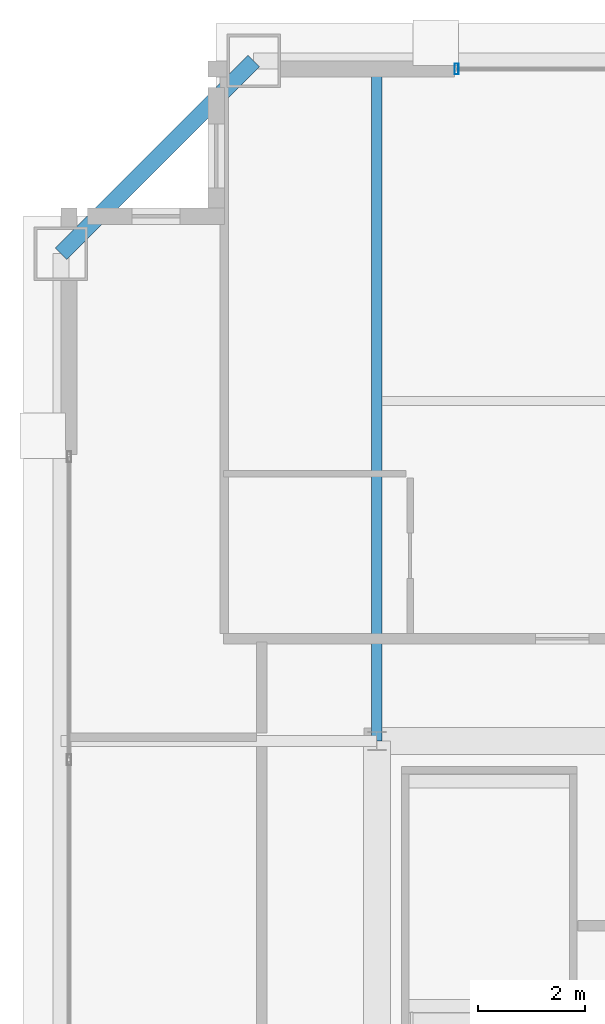
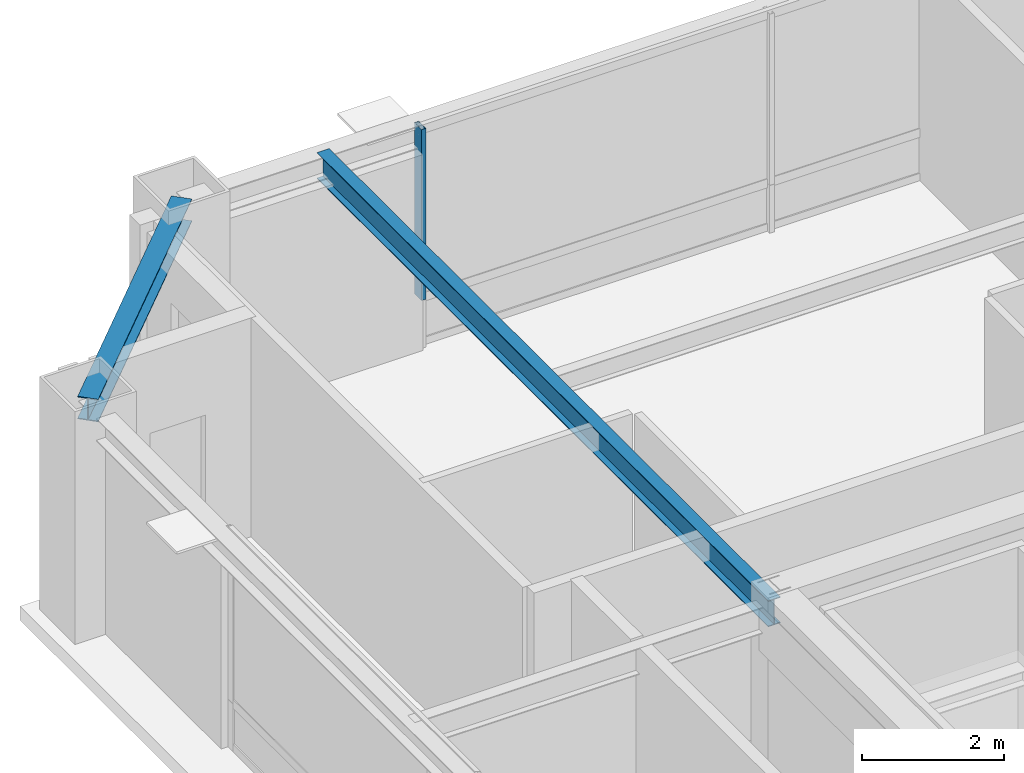
# One storey, part 16 of 34: 2 beams, 1 member, 1 element without a shape of its own.
"""IFC4 building model written with IfcOpenShell, lengths in metres."""

from ifc_helpers import new_model, si_unit, direction, frame, origin, origin_2d, place, context, subcontext, project, spatial, hollow_rectangle, i_section, extrude, source, transform, mapped, material, layer, layer_set, material_profile, profile_set, type_object, element, aggregate, save


model = new_model("IFC4")

# Units and contexts
model_context = context("Model", 3, precision=1e-05, world=origin(), true_north=direction((0.0, 1.0)))
body_context = subcontext(model_context, "Body", "Model", "MODEL_VIEW")
ifc_project = project(units=[si_unit("LENGTHUNIT", "METRE"), si_unit("AREAUNIT", "SQUARE_METRE"), si_unit("VOLUMEUNIT", "CUBIC_METRE"), si_unit("PLANEANGLEUNIT", "RADIAN"), si_unit("MASSUNIT", "GRAM", prefix="KILO"), si_unit("THERMODYNAMICTEMPERATUREUNIT", "KELVIN"), si_unit("POWERUNIT", "WATT")], contexts=[model_context])

# Site, building, storey
site_placement = place(None, origin())
site = spatial("IfcSite", under=ifc_project, at=site_placement, CompositionType="ELEMENT")
building_placement = place(site_placement, origin())
building = spatial("IfcBuilding", under=site, at=building_placement, Name="Yuzanri Waterfront Tower", CompositionType="ELEMENT")
storey_placement = place(building_placement, frame((0.0, 0.0, 339.199951171875)))
storey = spatial("IfcBuildingStorey", under=building, at=storey_placement, Name="L91", CompositionType="ELEMENT", Elevation=339.199951171875)

# Beams
ifc_material_1 = material(Name="Steel Q355B", Category="steel")
ifc_material_profile_1 = material_profile(ifc_material_1, i_section(OverallWidth=0.300048828125, OverallDepth=0.389892578125, WebThickness=0.010009765625, FlangeThickness=0.01611328125, at=origin_2d()), Name="HM 390x300x10x16")
ifc_profile_set_1 = profile_set([ifc_material_profile_1], Name="Steel Q355B")
beam_type_1 = type_object("IfcBeamType", Name="Perimeter Spandrel Q355B HM 390x300", PredefinedType="SPANDREL", material=ifc_profile_set_1)
shared_shape_1 = source(origin(), body_context, "Body", "SweptSolid", [
    extrude(i_section(OverallWidth=0.300048828125, OverallDepth=0.389892578125, WebThickness=0.010009765625, FlangeThickness=0.01611328125, at=origin_2d()), origin(), (0.0, 0.0, 1.0), 5.091064453125),
])
beam_1_placement = place(storey_placement, frame((21.5, 44.89990234375, 3.56494140625), z_axis=(-0.707130757816, -0.707082803744, 0.0), x_axis=(0.707082803744, -0.707130757816, 0.0)))
element("IfcBeam", 1, at=beam_1_placement, inside=storey, type_object=beam_type_1, Name="L91 Perimeter Spandrel N1-W3", PredefinedType="SPANDREL", context=body_context, shape_type="MappedRepresentation", body=[
    mapped(shared_shape_1, transform((0.0, 0.0, 0.0), scale=1.0)),
])
ifc_material_2 = material(Name="Steel Q355B", Category="steel")
ifc_material_profile_2 = material_profile(ifc_material_2, i_section(OverallWidth=0.199951171875, OverallDepth=0.449951171875, WebThickness=0.009033203125, FlangeThickness=0.013916015625, at=origin_2d()), Name="HN 450x200x9x14")
ifc_profile_set_2 = profile_set([ifc_material_profile_2], Name="Steel Q355B")
beam_type_2 = type_object("IfcBeamType", Name="Secondary Floor Beam Q355B HN 450x200", PredefinedType="BEAM", material=ifc_profile_set_2)
shared_shape_2 = source(origin(), body_context, "Body", "SweptSolid", [
    extrude(i_section(OverallWidth=0.199951171875, OverallDepth=0.449951171875, WebThickness=0.009033203125, FlangeThickness=0.013916015625, at=origin_2d()), origin(), (0.0, 0.0, 1.0), 12.699951171875),
])
beam_2_placement = place(storey_placement, frame((23.800048828125, 32.199951171875, 3.53515625), z_axis=(0.0, 1.0, 0.0), x_axis=(-1.0, 0.0, 0.0)))
element("IfcBeam", 2, at=beam_2_placement, inside=storey, type_object=beam_type_2, Name="L91 North-West Core Line Beam", PredefinedType="BEAM", context=body_context, shape_type="MappedRepresentation", body=[
    mapped(shared_shape_2, transform((0.0, 0.0, 0.0), scale=1.0)),
])

# Curtain wall, member
ifc_material_3 = material(Name="Anodized Architectural Bronze", Category="metal")
ifc_layer = layer(ifc_material_3, 0.159912109375)
ifc_layer_set = layer_set([ifc_layer], Name="Anodized Architectural Bronze")
curtain_wall_type = type_object("IfcCurtainWallType", Name="Anodized Bronze High-Rise Penthouse High-Wind Unitized Curtain Wall 6900", PredefinedType="NOTDEFINED", material=ifc_layer_set)
curtain_wall_placement = place(storey_placement, origin())
curtain_wall = element("IfcCurtainWall", 3, at=curtain_wall_placement, inside=storey, type_object=curtain_wall_type, Name="L91 Curtain Wall CW-L91-NL", PredefinedType="NOTDEFINED")
ifc_material_4 = material(Name="Anodized Architectural Bronze", Category="metal")
ifc_material_profile_3 = material_profile(ifc_material_4, hollow_rectangle(XDim=0.074951171875, YDim=0.199951171875, WallThickness=0.00390625, at=origin_2d()), Name="CWM 75x200")
ifc_profile_set_3 = profile_set([ifc_material_profile_3], Name="Anodized Architectural Bronze")
member_type = type_object("IfcMemberType", Name="Anodized Bronze Primary Curtain-Wall Mullion 75x200", PredefinedType="MULLION", material=ifc_profile_set_3)
shared_shape_3 = source(origin(), body_context, "Body", "SweptSolid", [
    extrude(hollow_rectangle(XDim=0.074951171875, YDim=0.199951171875, WallThickness=0.00390625, at=origin_2d()), origin(), (0.0, 0.0, 1.0), 2.93798828125),
])
member_placement = place(storey_placement, frame((25.2900390625, 44.75, 0.822021484375), z_axis=(0.0, 0.0, 1.0), x_axis=(1.0, 0.0, 0.0)))
member = element("IfcMember", 4, at=member_placement, type_object=member_type, Name="CW-L91-NL Upper Mullion 00", PredefinedType="MULLION", context=body_context, shape_type="MappedRepresentation", body=[
    mapped(shared_shape_3, transform((0.0, 0.0, 0.0), scale=1.0)),
])
aggregate(curtain_wall, [member])

save(model, "model.ifc")
